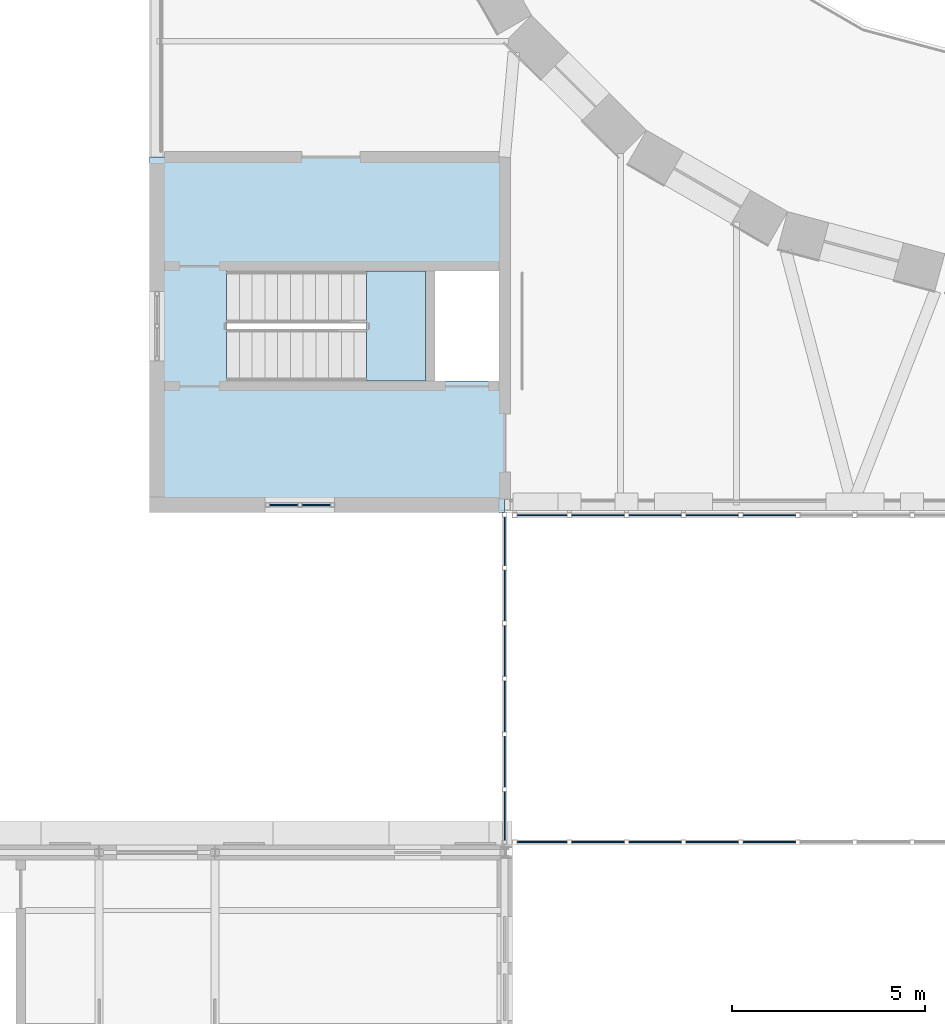
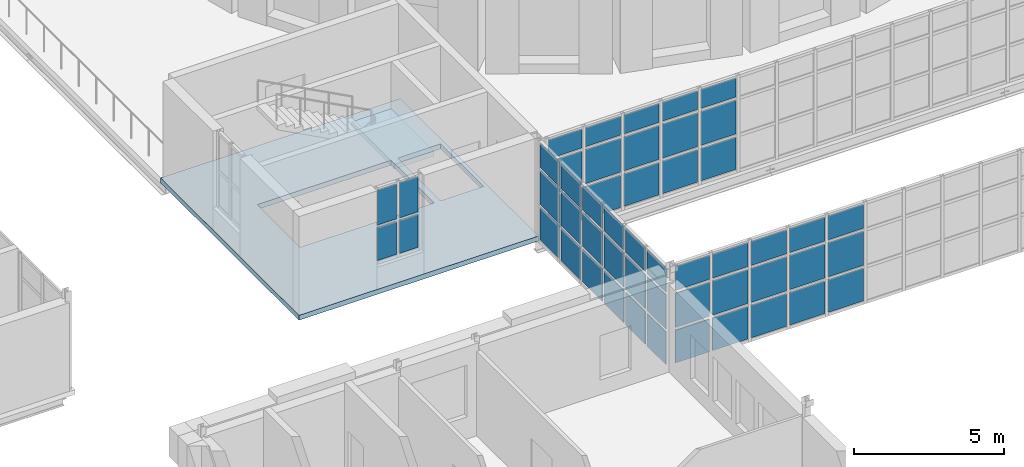
# One storey, part 93 of 154: 52 plates, 2 slabs, 5 elements without a shape of their own.
"""IFC4 building model written with IfcOpenShell, lengths in metres."""

import ifcopenshell
import ifcopenshell.guid

model = None  # the IFC model being written
_history = None  # IfcOwnerHistory: only IFC2X3 demands one
_inside = {}  # id of a spatial element -> (the spatial element, [elements in it])
_under = {}  # id of a project, library or spatial element -> (it, [spatial elements below it])
_declared = {}  # id of a project -> (the project, [libraries it declares])
_typed = {}  # id of a type object -> (the type object, [elements of that type])
_made_of = {}  # id of a material, layer set ... -> (it, [elements and type objects made of it])


def new_model(schema):
    """Start an empty IFC model of exactly this schema.

    Asked for "IFC4X3", IfcOpenShell would pick the latest addendum, in which some entities
    have other attributes; the version numbers below select the first issue.
    IFC2X3 requires an IfcOwnerHistory on every rooted entity: one is made here for all.
    """
    global model, _history
    if schema == "IFC4X3":
        model = ifcopenshell.file(schema_version=(4, 3, 0, 0))
    else:
        model = ifcopenshell.file(schema=schema)
    _inside.clear()
    _under.clear()
    _declared.clear()
    _typed.clear()
    _made_of.clear()
    _history = None
    if model.schema == "IFC2X3":
        org = make("IfcOrganization", Name="unknown")
        user = make(
            "IfcPersonAndOrganization",
            ThePerson=make("IfcPerson", FamilyName="unknown"),
            TheOrganization=org,
        )
        app = make(
            "IfcApplication",
            ApplicationDeveloper=org,
            Version="unknown",
            ApplicationFullName="unknown",
            ApplicationIdentifier="unknown",
        )
        _history = make(
            "IfcOwnerHistory",
            OwningUser=user,
            OwningApplication=app,
            ChangeAction="ADDED",
            CreationDate=0,
        )
    return model


def make(cls, **values):
    """One entity of the class cls with the attributes given. An attribute that is None is left unset."""
    return model.create_entity(
        cls, **{name: value for name, value in values.items() if value is not None}
    )


def rooted(cls, **values):
    """An entity with a GlobalId (a new one), such as an element, a storey or a relation."""
    return make(cls, GlobalId=ifcopenshell.guid.new(), OwnerHistory=_history, **values)


def si_unit(unit_type, name, prefix=None):
    """IfcSIUnit, for example si_unit("LENGTHUNIT", "METRE", prefix="MILLI")."""
    return make("IfcSIUnit", UnitType=unit_type, Prefix=prefix, Name=name)


def assignment(units):
    """IfcUnitAssignment: the units of a project."""
    return None if units is None else make("IfcUnitAssignment", Units=units)


def point(xyz):
    """IfcCartesianPoint."""
    return None if xyz is None else make("IfcCartesianPoint", Coordinates=xyz)


def direction(xyz):
    """IfcDirection."""
    return None if xyz is None else make("IfcDirection", DirectionRatios=xyz)


def frame(location, z_axis=None, x_axis=None):
    """IfcAxis2Placement3D, a coordinate frame: its origin and axes. An axis left out is left unset."""
    return make(
        "IfcAxis2Placement3D",
        Location=point(location),
        Axis=direction(z_axis),
        RefDirection=direction(x_axis),
    )


def frame_2d(location, x_axis=None):
    """IfcAxis2Placement2D, a coordinate frame in the plane: its origin and x axis."""
    return make(
        "IfcAxis2Placement2D", Location=point(location), RefDirection=direction(x_axis)
    )


def origin():
    """The frame at (0, 0, 0) with its axes left unset."""
    return frame((0.0, 0.0, 0.0))


def origin_2d():
    """The frame at (0, 0) in the plane with its x axis left unset."""
    return frame_2d((0.0, 0.0))


def place(relative_to, where):
    """IfcLocalPlacement: puts the frame where relative to a parent placement (None: the world)."""
    return make(
        "IfcLocalPlacement", PlacementRelTo=relative_to, RelativePlacement=where
    )


def context(
    kind, dimensions, precision=None, world=None, true_north=None, identifier=None
):
    """IfcGeometricRepresentationContext, for example the 3D "Model" context."""
    return make(
        "IfcGeometricRepresentationContext",
        ContextIdentifier=identifier,
        ContextType=kind,
        CoordinateSpaceDimension=dimensions,
        Precision=precision,
        WorldCoordinateSystem=world,
        TrueNorth=true_north,
    )


def subcontext(parent, identifier, kind, view, scale=None):
    """IfcGeometricRepresentationSubContext, for example "Body" below "Model"."""
    return make(
        "IfcGeometricRepresentationSubContext",
        ContextIdentifier=identifier,
        ContextType=kind,
        ParentContext=parent,
        TargetScale=scale,
        TargetView=view,
    )


def project(units=None, contexts=None):
    """IfcProject with its units and contexts."""
    return rooted(
        "IfcProject",
        Name="project",
        RepresentationContexts=contexts,
        UnitsInContext=assignment(units),
    )


def spatial(cls, under=None, at=None, **own):
    """A site, building, storey or space (cls), placed at a placement, below another one or the project."""
    s = rooted(cls, ObjectPlacement=at, **own)
    if under is not None:
        _under.setdefault(under.id(), (under, []))[1].append(s)
    return s


def polyline(points):
    """IfcPolyline through the points."""
    return make("IfcPolyline", Points=[point(p) for p in points])


def profile(cls, at=None, kind="AREA", **sizes):
    """A parametric profile (cls). Its sizes go by their IFC names, for example OverallWidth=200.0."""
    return make(cls, ProfileType=kind, Position=at, **sizes)


def rectangle(**sizes):
    """IfcRectangleProfileDef."""
    return profile("IfcRectangleProfileDef", **sizes)


def outline(outer, holes=None, kind="AREA"):
    """IfcArbitraryClosedProfileDef: a profile drawn as a closed curve; with holes, ...WithVoids."""
    if holes is None:
        return make("IfcArbitraryClosedProfileDef", ProfileType=kind, OuterCurve=outer)
    return make(
        "IfcArbitraryProfileDefWithVoids",
        ProfileType=kind,
        OuterCurve=outer,
        InnerCurves=holes,
    )


def extrude(swept, where, along, depth):
    """IfcExtrudedAreaSolid: the profile swept, set in the frame where, extruded along a direction by depth."""
    return make(
        "IfcExtrudedAreaSolid",
        SweptArea=swept,
        Position=where,
        ExtrudedDirection=direction(along),
        Depth=depth,
    )


def shape(context_of_items, identifier, shape_type, items):
    """IfcShapeRepresentation: the items that make up one representation, for example the "Body"."""
    return make(
        "IfcShapeRepresentation",
        ContextOfItems=context_of_items,
        RepresentationIdentifier=identifier,
        RepresentationType=shape_type,
        Items=items,
    )


def material(Name=None, Category=None):
    """IfcMaterial."""
    return make("IfcMaterial", Name=Name, Category=Category)


def layer(
    of_material, thickness, ventilated=None, Name=None, Category=None, Priority=None
):
    """IfcMaterialLayer: one layer of a wall or slab, of a material (None: an air gap)."""
    return make(
        "IfcMaterialLayer",
        Material=of_material,
        LayerThickness=thickness,
        IsVentilated=ventilated,
        Name=Name,
        Category=Category,
        Priority=Priority,
    )


def layer_set(layers, Name=None):
    """IfcMaterialLayerSet."""
    return make("IfcMaterialLayerSet", MaterialLayers=layers, LayerSetName=Name)


def made_of(thing, what):
    """Note that an element or type object is made of a material, layer set ...; save() writes the relation."""
    if what is not None:
        _made_of.setdefault(what.id(), (what, []))[1].append(thing)
    return thing


def type_object(cls, material=None, **own):
    """A type object (cls), such as IfcWallType, which elements share."""
    return made_of(rooted(cls, **own), material)


def element(
    cls,
    number,
    at=None,
    inside=None,
    cuts=None,
    type_object=None,
    material=None,
    context=None,
    identifier="Body",
    shape_type=None,
    held_by="IfcProductDefinitionShape",
    body=None,
    shapes=None,
    **own,
):
    """One element of the class cls, such as IfcWall. Its Tag is "e" and its number.

    at: its placement. inside: the storey or other place that contains it. cuts: it is an
    opening in that element (IfcRelVoidsElement). A single representation is given by context,
    identifier, shape_type and body (its items); several are given by shapes. held_by: the class
    of the entity that holds the representations. save() writes the other relations.
    """
    e = rooted(cls, Tag="e%d" % number, ObjectPlacement=at, **own)
    if body is not None:
        shapes = [shape(context, identifier, shape_type, body)]
    if shapes is not None:
        e.Representation = make(held_by, Representations=shapes)
    if inside is not None:
        _inside.setdefault(inside.id(), (inside, []))[1].append(e)
    if cuts is not None:
        rooted(
            "IfcRelVoidsElement", RelatingBuildingElement=cuts, RelatedOpeningElement=e
        )
    if type_object is not None:
        _typed.setdefault(type_object.id(), (type_object, []))[1].append(e)
    return made_of(e, material)


def aggregate(whole, parts):
    """IfcRelAggregates: a whole, such as a stair, and the parts it consists of."""
    return rooted("IfcRelAggregates", RelatingObject=whole, RelatedObjects=parts)


def save(model, path):
    """Write the relations noted so far, then the file.

    IfcRelAggregates (storeys below a building ...), IfcRelContainedInSpatialStructure (elements
    in a storey), IfcRelDefinesByType, IfcRelAssociatesMaterial and IfcRelDeclares: one each for
    every whole, place, type object, material and project.
    """
    for whole, parts in _under.values():
        aggregate(whole, parts)
    for where, things in _inside.values():
        rooted(
            "IfcRelContainedInSpatialStructure",
            RelatedElements=things,
            RelatingStructure=where,
        )
    for kind, things in _typed.values():
        rooted("IfcRelDefinesByType", RelatedObjects=things, RelatingType=kind)
    for what, things in _made_of.values():
        rooted("IfcRelAssociatesMaterial", RelatedObjects=things, RelatingMaterial=what)
    for by, libraries in _declared.values():
        rooted("IfcRelDeclares", RelatingContext=by, RelatedDefinitions=libraries)
    model.write(path)


model = new_model("IFC4")

# Units and contexts
model_context = context("Model", 3, precision=1e-05, world=origin(), true_north=direction((0.0, 1.0)))
body_context = subcontext(model_context, "Body", "Model", "MODEL_VIEW")
ifc_project = project(units=[si_unit("LENGTHUNIT", "METRE"), si_unit("AREAUNIT", "SQUARE_METRE"), si_unit("VOLUMEUNIT", "CUBIC_METRE"), si_unit("PLANEANGLEUNIT", "RADIAN"), si_unit("MASSUNIT", "GRAM", prefix="KILO")], contexts=[model_context])

# Site, building, storey
site_placement = place(None, origin())
site = spatial("IfcSite", under=ifc_project, at=site_placement, CompositionType="ELEMENT")
building_placement = place(site_placement, origin())
building = spatial("IfcBuilding", under=site, at=building_placement, Name="Golden Quay Civic Hall", CompositionType="ELEMENT")
storey_placement = place(building_placement, frame((0.0, 0.0, 14.39990234375)))
storey = spatial("IfcBuildingStorey", under=building, at=storey_placement, Name="L03", CompositionType="ELEMENT", Elevation=14.39990234375)

# Slab
ifc_material_1 = material(Name="Concrete C35/45", Category="concrete")
ifc_layer_1 = layer(ifc_material_1, 0.199951171875)
ifc_layer_set_1 = layer_set([ifc_layer_1], Name="Composite floor 200")
slab_type_1 = type_object("IfcSlabType", Name="Composite floor 200", PredefinedType="FLOOR", material=ifc_layer_set_1)
slab_1_placement = place(storey_placement, frame((0.0, 0.0, -0.199951171875)))
element("IfcSlab", 1, at=slab_1_placement, inside=storey, type_object=slab_type_1, Name="Slab", PredefinedType="FLOOR", context=body_context, shape_type="SweptSolid", body=[
    extrude(outline(polyline([(72.0, 72.0), (72.0, 62.800048828125), (62.800048828125, 62.800048828125), (62.800048828125, 72.0), (72.0, 72.0)]), holes=[polyline([(69.949951171875, 69.050048828125), (64.804931640625, 69.050048828125), (64.804931640625, 66.199951171875), (69.949951171875, 66.199951171875), (69.949951171875, 69.050048828125)]), polyline([(71.85009765625, 69.050048828125), (70.199951171875, 69.050048828125), (70.199951171875, 66.199951171875), (71.85009765625, 66.199951171875), (71.85009765625, 69.050048828125)])]), origin(), (0.0, 0.0, 1.0), 0.199951171875),
])

# Curtain wall, plates
ifc_material_2 = material(Name="Fire-resisting glass and steel", Category="steel")
curtain_wall_type_1 = type_object("IfcCurtainWallType", Name="Fire-resisting glazed curtain wall EI 120", PredefinedType="NOTDEFINED", material=ifc_material_2)
curtain_wall_1_placement = place(storey_placement, origin())
curtain_wall_1 = element("IfcCurtainWall", 2, at=curtain_wall_1_placement, inside=storey, type_object=curtain_wall_type_1, Name="CW3 curtain wall", PredefinedType="NOTDEFINED")
ifc_material_3 = material(Name="Fire-resisting laminated glass", Category="glass")
ifc_layer_2 = layer(ifc_material_3, 0.0400390625)
ifc_layer_set_2 = layer_set([ifc_layer_2], Name="Fire-resisting glazed panel 40")
plate_type_1 = type_object("IfcPlateType", Name="Fire-resisting glazed panel 40", PredefinedType="CURTAIN_PANEL", material=ifc_layer_set_2)
plate_1_placement = place(storey_placement, frame((72.968994140625, 54.27001953125, -0.080078125), z_axis=(0.0, 0.0, 1.0), x_axis=(1.0, 0.0, 0.0)))
plate_1 = element("IfcPlate", 3, at=plate_1_placement, type_object=plate_type_1, Name="CW3 panel 1.1", PredefinedType="CURTAIN_PANEL", context=body_context, shape_type="SweptSolid", body=[
    extrude(rectangle(XDim=1.2978515625, YDim=0.0400390625, at=origin_2d()), origin(), (0.0, 0.0, 1.0), 1.320068359375),
])
plate_2_placement = place(storey_placement, frame((72.968994140625, 54.27001953125, 1.360107421875), z_axis=(0.0, 0.0, 1.0), x_axis=(1.0, 0.0, 0.0)))
plate_2 = element("IfcPlate", 4, at=plate_2_placement, type_object=plate_type_1, Name="CW3 panel 1.2", PredefinedType="CURTAIN_PANEL", context=body_context, shape_type="SweptSolid", body=[
    extrude(rectangle(XDim=1.2978515625, YDim=0.0400390625, at=origin_2d()), origin(), (0.0, 0.0, 1.0), 1.3798828125),
])
plate_3_placement = place(storey_placement, frame((72.968994140625, 54.27001953125, 2.8603515625), z_axis=(0.0, 0.0, 1.0), x_axis=(1.0, 0.0, 0.0)))
plate_3 = element("IfcPlate", 5, at=plate_3_placement, type_object=plate_type_1, Name="CW3 panel 1.3", PredefinedType="CURTAIN_PANEL", context=body_context, shape_type="SweptSolid", body=[
    extrude(rectangle(XDim=1.2978515625, YDim=0.0400390625, at=origin_2d()), origin(), (0.0, 0.0, 1.0), 0.969970703125),
])
plate_4_placement = place(storey_placement, frame((74.416748046875, 54.27001953125, -0.080078125), z_axis=(0.0, 0.0, 1.0), x_axis=(1.0, 0.0, 0.0)))
plate_4 = element("IfcPlate", 6, at=plate_4_placement, type_object=plate_type_1, Name="CW3 panel 2.1", PredefinedType="CURTAIN_PANEL", context=body_context, shape_type="SweptSolid", body=[
    extrude(rectangle(XDim=1.357666015625, YDim=0.0400390625, at=origin_2d()), origin(), (0.0, 0.0, 1.0), 1.320068359375),
])
plate_5_placement = place(storey_placement, frame((74.416748046875, 54.27001953125, 1.360107421875), z_axis=(0.0, 0.0, 1.0), x_axis=(1.0, 0.0, 0.0)))
plate_5 = element("IfcPlate", 7, at=plate_5_placement, type_object=plate_type_1, Name="CW3 panel 2.2", PredefinedType="CURTAIN_PANEL", context=body_context, shape_type="SweptSolid", body=[
    extrude(rectangle(XDim=1.357666015625, YDim=0.0400390625, at=origin_2d()), origin(), (0.0, 0.0, 1.0), 1.3798828125),
])
plate_6_placement = place(storey_placement, frame((74.416748046875, 54.27001953125, 2.8603515625), z_axis=(0.0, 0.0, 1.0), x_axis=(1.0, 0.0, 0.0)))
plate_6 = element("IfcPlate", 8, at=plate_6_placement, type_object=plate_type_1, Name="CW3 panel 2.3", PredefinedType="CURTAIN_PANEL", context=body_context, shape_type="SweptSolid", body=[
    extrude(rectangle(XDim=1.357666015625, YDim=0.0400390625, at=origin_2d()), origin(), (0.0, 0.0, 1.0), 0.969970703125),
])
plate_7_placement = place(storey_placement, frame((75.89453125, 54.27001953125, -0.080078125), z_axis=(0.0, 0.0, 1.0), x_axis=(1.0, 0.0, 0.0)))
plate_7 = element("IfcPlate", 9, at=plate_7_placement, type_object=plate_type_1, Name="CW3 panel 3.1", PredefinedType="CURTAIN_PANEL", context=body_context, shape_type="SweptSolid", body=[
    extrude(rectangle(XDim=1.357666015625, YDim=0.0400390625, at=origin_2d()), origin(), (0.0, 0.0, 1.0), 1.320068359375),
])
plate_8_placement = place(storey_placement, frame((75.89453125, 54.27001953125, 1.360107421875), z_axis=(0.0, 0.0, 1.0), x_axis=(1.0, 0.0, 0.0)))
plate_8 = element("IfcPlate", 10, at=plate_8_placement, type_object=plate_type_1, Name="CW3 panel 3.2", PredefinedType="CURTAIN_PANEL", context=body_context, shape_type="SweptSolid", body=[
    extrude(rectangle(XDim=1.357666015625, YDim=0.0400390625, at=origin_2d()), origin(), (0.0, 0.0, 1.0), 1.3798828125),
])
plate_9_placement = place(storey_placement, frame((75.89453125, 54.27001953125, 2.8603515625), z_axis=(0.0, 0.0, 1.0), x_axis=(1.0, 0.0, 0.0)))
plate_9 = element("IfcPlate", 11, at=plate_9_placement, type_object=plate_type_1, Name="CW3 panel 3.3", PredefinedType="CURTAIN_PANEL", context=body_context, shape_type="SweptSolid", body=[
    extrude(rectangle(XDim=1.357666015625, YDim=0.0400390625, at=origin_2d()), origin(), (0.0, 0.0, 1.0), 0.969970703125),
])
plate_10_placement = place(storey_placement, frame((77.372314453125, 54.27001953125, -0.080078125), z_axis=(0.0, 0.0, 1.0), x_axis=(1.0, 0.0, 0.0)))
plate_10 = element("IfcPlate", 12, at=plate_10_placement, type_object=plate_type_1, Name="CW3 panel 4.1", PredefinedType="CURTAIN_PANEL", context=body_context, shape_type="SweptSolid", body=[
    extrude(rectangle(XDim=1.357666015625, YDim=0.0400390625, at=origin_2d()), origin(), (0.0, 0.0, 1.0), 1.320068359375),
])
plate_11_placement = place(storey_placement, frame((77.372314453125, 54.27001953125, 1.360107421875), z_axis=(0.0, 0.0, 1.0), x_axis=(1.0, 0.0, 0.0)))
plate_11 = element("IfcPlate", 13, at=plate_11_placement, type_object=plate_type_1, Name="CW3 panel 4.2", PredefinedType="CURTAIN_PANEL", context=body_context, shape_type="SweptSolid", body=[
    extrude(rectangle(XDim=1.357666015625, YDim=0.0400390625, at=origin_2d()), origin(), (0.0, 0.0, 1.0), 1.3798828125),
])
plate_12_placement = place(storey_placement, frame((77.372314453125, 54.27001953125, 2.8603515625), z_axis=(0.0, 0.0, 1.0), x_axis=(1.0, 0.0, 0.0)))
plate_12 = element("IfcPlate", 14, at=plate_12_placement, type_object=plate_type_1, Name="CW3 panel 4.3", PredefinedType="CURTAIN_PANEL", context=body_context, shape_type="SweptSolid", body=[
    extrude(rectangle(XDim=1.357666015625, YDim=0.0400390625, at=origin_2d()), origin(), (0.0, 0.0, 1.0), 0.969970703125),
])
plate_13_placement = place(storey_placement, frame((78.85009765625, 54.27001953125, -0.080078125), z_axis=(0.0, 0.0, 1.0), x_axis=(1.0, 0.0, 0.0)))
plate_13 = element("IfcPlate", 15, at=plate_13_placement, type_object=plate_type_1, Name="CW3 panel 5.1", PredefinedType="CURTAIN_PANEL", context=body_context, shape_type="SweptSolid", body=[
    extrude(rectangle(XDim=1.357666015625, YDim=0.0400390625, at=origin_2d()), origin(), (0.0, 0.0, 1.0), 1.320068359375),
])
plate_14_placement = place(storey_placement, frame((78.85009765625, 54.27001953125, 1.360107421875), z_axis=(0.0, 0.0, 1.0), x_axis=(1.0, 0.0, 0.0)))
plate_14 = element("IfcPlate", 16, at=plate_14_placement, type_object=plate_type_1, Name="CW3 panel 5.2", PredefinedType="CURTAIN_PANEL", context=body_context, shape_type="SweptSolid", body=[
    extrude(rectangle(XDim=1.357666015625, YDim=0.0400390625, at=origin_2d()), origin(), (0.0, 0.0, 1.0), 1.3798828125),
])
plate_15_placement = place(storey_placement, frame((78.85009765625, 54.27001953125, 2.8603515625), z_axis=(0.0, 0.0, 1.0), x_axis=(1.0, 0.0, 0.0)))
plate_15 = element("IfcPlate", 17, at=plate_15_placement, type_object=plate_type_1, Name="CW3 panel 5.3", PredefinedType="CURTAIN_PANEL", context=body_context, shape_type="SweptSolid", body=[
    extrude(rectangle(XDim=1.357666015625, YDim=0.0400390625, at=origin_2d()), origin(), (0.0, 0.0, 1.0), 0.969970703125),
])
aggregate(curtain_wall_1, [plate_1, plate_2, plate_3, plate_4, plate_5, plate_6, plate_7, plate_8, plate_9, plate_10, plate_11, plate_12, plate_13, plate_14, plate_15])

ifc_material_4 = material(Name="Fire-resisting glass and steel", Category="steel")
curtain_wall_type_2 = type_object("IfcCurtainWallType", Name="Fire-resisting glazed stair curtain wall EI 120", PredefinedType="NOTDEFINED", material=ifc_material_4)
curtain_wall_2_placement = place(storey_placement, origin())
curtain_wall_2 = element("IfcCurtainWall", 18, at=curtain_wall_2_placement, inside=storey, type_object=curtain_wall_type_2, Name="CW4 stair curtain wall", PredefinedType="NOTDEFINED")
ifc_material_5 = material(Name="Fire-resisting laminated glass", Category="glass")
ifc_layer_3 = layer(ifc_material_5, 0.0400390625)
ifc_layer_set_3 = layer_set([ifc_layer_3], Name="Fire-resisting glazed stair panel 40")
plate_type_2 = type_object("IfcPlateType", Name="Fire-resisting glazed stair panel 40", PredefinedType="CURTAIN_PANEL", material=ifc_layer_set_3)
plate_16_placement = place(storey_placement, frame((66.280029296875, 63.0, 1.02001953125), z_axis=(0.0, 0.0, 1.0), x_axis=(1.0, 0.0, 0.0)))
plate_16 = element("IfcPlate", 19, at=plate_16_placement, type_object=plate_type_2, Name="CW4 panel 1.1", PredefinedType="CURTAIN_PANEL", context=body_context, shape_type="SweptSolid", body=[
    extrude(rectangle(XDim=0.719970703125, YDim=0.0400390625, at=origin_2d()), origin(), (0.0, 0.0, 1.0), 1.320068359375),
])
plate_17_placement = place(storey_placement, frame((66.280029296875, 63.0, 2.460205078125), z_axis=(0.0, 0.0, 1.0), x_axis=(1.0, 0.0, 0.0)))
plate_17 = element("IfcPlate", 20, at=plate_17_placement, type_object=plate_type_2, Name="CW4 panel 1.2", PredefinedType="CURTAIN_PANEL", context=body_context, shape_type="SweptSolid", body=[
    extrude(rectangle(XDim=0.719970703125, YDim=0.0400390625, at=origin_2d()), origin(), (0.0, 0.0, 1.0), 1.419921875),
])
plate_18_placement = place(storey_placement, frame((67.1201171875, 63.0, 1.02001953125), z_axis=(0.0, 0.0, 1.0), x_axis=(1.0, 0.0, 0.0)))
plate_18 = element("IfcPlate", 21, at=plate_18_placement, type_object=plate_type_2, Name="CW4 panel 2.1", PredefinedType="CURTAIN_PANEL", context=body_context, shape_type="SweptSolid", body=[
    extrude(rectangle(XDim=0.719970703125, YDim=0.0400390625, at=origin_2d()), origin(), (0.0, 0.0, 1.0), 1.320068359375),
])
plate_19_placement = place(storey_placement, frame((67.1201171875, 63.0, 2.460205078125), z_axis=(0.0, 0.0, 1.0), x_axis=(1.0, 0.0, 0.0)))
plate_19 = element("IfcPlate", 22, at=plate_19_placement, type_object=plate_type_2, Name="CW4 panel 2.2", PredefinedType="CURTAIN_PANEL", context=body_context, shape_type="SweptSolid", body=[
    extrude(rectangle(XDim=0.719970703125, YDim=0.0400390625, at=origin_2d()), origin(), (0.0, 0.0, 1.0), 1.419921875),
])
aggregate(curtain_wall_2, [plate_16, plate_17, plate_18, plate_19])

ifc_material_6 = material(Name="Glass and aluminium", Category="aluminium")
curtain_wall_type_3 = type_object("IfcCurtainWallType", Name="Glazed curtain wall 1500 module", PredefinedType="NOTDEFINED", material=ifc_material_6)
curtain_wall_3_placement = place(storey_placement, origin())
curtain_wall_3 = element("IfcCurtainWall", 23, at=curtain_wall_3_placement, inside=storey, type_object=curtain_wall_type_3, Name="CW1 curtain wall", PredefinedType="NOTDEFINED")
ifc_material_7 = material(Name="Laminated glass", Category="glass")
ifc_layer_4 = layer(ifc_material_7, 0.028076171875)
ifc_layer_set_4 = layer_set([ifc_layer_4], Name="Laminated glass panel 28")
plate_type_3 = type_object("IfcPlateType", Name="Laminated glass panel 28", PredefinedType="CURTAIN_PANEL", material=ifc_layer_set_4)
plate_20_placement = place(storey_placement, frame((72.968994140625, 62.72998046875, 0.1201171875), z_axis=(0.0, 0.0, 1.0), x_axis=(1.0, 0.0, 0.0)))
plate_20 = element("IfcPlate", 24, at=plate_20_placement, type_object=plate_type_3, Name="CW1 panel 1.1", PredefinedType="CURTAIN_PANEL", context=body_context, shape_type="SweptSolid", body=[
    extrude(rectangle(XDim=1.2978515625, YDim=0.028076171875, at=origin_2d()), origin(), (0.0, 0.0, 1.0), 1.320068359375),
])
plate_21_placement = place(storey_placement, frame((72.968994140625, 62.72998046875, 1.56005859375), z_axis=(0.0, 0.0, 1.0), x_axis=(1.0, 0.0, 0.0)))
plate_21 = element("IfcPlate", 25, at=plate_21_placement, type_object=plate_type_3, Name="CW1 panel 1.2", PredefinedType="CURTAIN_PANEL", context=body_context, shape_type="SweptSolid", body=[
    extrude(rectangle(XDim=1.2978515625, YDim=0.028076171875, at=origin_2d()), origin(), (0.0, 0.0, 1.0), 1.3798828125),
])
plate_22_placement = place(storey_placement, frame((72.968994140625, 62.72998046875, 3.06005859375), z_axis=(0.0, 0.0, 1.0), x_axis=(1.0, 0.0, 0.0)))
plate_22 = element("IfcPlate", 26, at=plate_22_placement, type_object=plate_type_3, Name="CW1 panel 1.3", PredefinedType="CURTAIN_PANEL", context=body_context, shape_type="SweptSolid", body=[
    extrude(rectangle(XDim=1.2978515625, YDim=0.028076171875, at=origin_2d()), origin(), (0.0, 0.0, 1.0), 0.77001953125),
])
plate_23_placement = place(storey_placement, frame((74.416748046875, 62.72998046875, 0.1201171875), z_axis=(0.0, 0.0, 1.0), x_axis=(1.0, 0.0, 0.0)))
plate_23 = element("IfcPlate", 27, at=plate_23_placement, type_object=plate_type_3, Name="CW1 panel 2.1", PredefinedType="CURTAIN_PANEL", context=body_context, shape_type="SweptSolid", body=[
    extrude(rectangle(XDim=1.357666015625, YDim=0.028076171875, at=origin_2d()), origin(), (0.0, 0.0, 1.0), 1.320068359375),
])
plate_24_placement = place(storey_placement, frame((74.416748046875, 62.72998046875, 1.56005859375), z_axis=(0.0, 0.0, 1.0), x_axis=(1.0, 0.0, 0.0)))
plate_24 = element("IfcPlate", 28, at=plate_24_placement, type_object=plate_type_3, Name="CW1 panel 2.2", PredefinedType="CURTAIN_PANEL", context=body_context, shape_type="SweptSolid", body=[
    extrude(rectangle(XDim=1.357666015625, YDim=0.028076171875, at=origin_2d()), origin(), (0.0, 0.0, 1.0), 1.3798828125),
])
plate_25_placement = place(storey_placement, frame((74.416748046875, 62.72998046875, 3.06005859375), z_axis=(0.0, 0.0, 1.0), x_axis=(1.0, 0.0, 0.0)))
plate_25 = element("IfcPlate", 29, at=plate_25_placement, type_object=plate_type_3, Name="CW1 panel 2.3", PredefinedType="CURTAIN_PANEL", context=body_context, shape_type="SweptSolid", body=[
    extrude(rectangle(XDim=1.357666015625, YDim=0.028076171875, at=origin_2d()), origin(), (0.0, 0.0, 1.0), 0.77001953125),
])
plate_26_placement = place(storey_placement, frame((75.89453125, 62.72998046875, 0.1201171875), z_axis=(0.0, 0.0, 1.0), x_axis=(1.0, 0.0, 0.0)))
plate_26 = element("IfcPlate", 30, at=plate_26_placement, type_object=plate_type_3, Name="CW1 panel 3.1", PredefinedType="CURTAIN_PANEL", context=body_context, shape_type="SweptSolid", body=[
    extrude(rectangle(XDim=1.357666015625, YDim=0.028076171875, at=origin_2d()), origin(), (0.0, 0.0, 1.0), 1.320068359375),
])
plate_27_placement = place(storey_placement, frame((75.89453125, 62.72998046875, 1.56005859375), z_axis=(0.0, 0.0, 1.0), x_axis=(1.0, 0.0, 0.0)))
plate_27 = element("IfcPlate", 31, at=plate_27_placement, type_object=plate_type_3, Name="CW1 panel 3.2", PredefinedType="CURTAIN_PANEL", context=body_context, shape_type="SweptSolid", body=[
    extrude(rectangle(XDim=1.357666015625, YDim=0.028076171875, at=origin_2d()), origin(), (0.0, 0.0, 1.0), 1.3798828125),
])
plate_28_placement = place(storey_placement, frame((75.89453125, 62.72998046875, 3.06005859375), z_axis=(0.0, 0.0, 1.0), x_axis=(1.0, 0.0, 0.0)))
plate_28 = element("IfcPlate", 32, at=plate_28_placement, type_object=plate_type_3, Name="CW1 panel 3.3", PredefinedType="CURTAIN_PANEL", context=body_context, shape_type="SweptSolid", body=[
    extrude(rectangle(XDim=1.357666015625, YDim=0.028076171875, at=origin_2d()), origin(), (0.0, 0.0, 1.0), 0.77001953125),
])
plate_29_placement = place(storey_placement, frame((77.372314453125, 62.72998046875, 0.1201171875), z_axis=(0.0, 0.0, 1.0), x_axis=(1.0, 0.0, 0.0)))
plate_29 = element("IfcPlate", 33, at=plate_29_placement, type_object=plate_type_3, Name="CW1 panel 4.1", PredefinedType="CURTAIN_PANEL", context=body_context, shape_type="SweptSolid", body=[
    extrude(rectangle(XDim=1.357666015625, YDim=0.028076171875, at=origin_2d()), origin(), (0.0, 0.0, 1.0), 1.320068359375),
])
plate_30_placement = place(storey_placement, frame((77.372314453125, 62.72998046875, 1.56005859375), z_axis=(0.0, 0.0, 1.0), x_axis=(1.0, 0.0, 0.0)))
plate_30 = element("IfcPlate", 34, at=plate_30_placement, type_object=plate_type_3, Name="CW1 panel 4.2", PredefinedType="CURTAIN_PANEL", context=body_context, shape_type="SweptSolid", body=[
    extrude(rectangle(XDim=1.357666015625, YDim=0.028076171875, at=origin_2d()), origin(), (0.0, 0.0, 1.0), 1.3798828125),
])
plate_31_placement = place(storey_placement, frame((77.372314453125, 62.72998046875, 3.06005859375), z_axis=(0.0, 0.0, 1.0), x_axis=(1.0, 0.0, 0.0)))
plate_31 = element("IfcPlate", 35, at=plate_31_placement, type_object=plate_type_3, Name="CW1 panel 4.3", PredefinedType="CURTAIN_PANEL", context=body_context, shape_type="SweptSolid", body=[
    extrude(rectangle(XDim=1.357666015625, YDim=0.028076171875, at=origin_2d()), origin(), (0.0, 0.0, 1.0), 0.77001953125),
])
plate_32_placement = place(storey_placement, frame((78.85009765625, 62.72998046875, 0.1201171875), z_axis=(0.0, 0.0, 1.0), x_axis=(1.0, 0.0, 0.0)))
plate_32 = element("IfcPlate", 36, at=plate_32_placement, type_object=plate_type_3, Name="CW1 panel 5.1", PredefinedType="CURTAIN_PANEL", context=body_context, shape_type="SweptSolid", body=[
    extrude(rectangle(XDim=1.357666015625, YDim=0.028076171875, at=origin_2d()), origin(), (0.0, 0.0, 1.0), 1.320068359375),
])
plate_33_placement = place(storey_placement, frame((78.85009765625, 62.72998046875, 1.56005859375), z_axis=(0.0, 0.0, 1.0), x_axis=(1.0, 0.0, 0.0)))
plate_33 = element("IfcPlate", 37, at=plate_33_placement, type_object=plate_type_3, Name="CW1 panel 5.2", PredefinedType="CURTAIN_PANEL", context=body_context, shape_type="SweptSolid", body=[
    extrude(rectangle(XDim=1.357666015625, YDim=0.028076171875, at=origin_2d()), origin(), (0.0, 0.0, 1.0), 1.3798828125),
])
plate_34_placement = place(storey_placement, frame((78.85009765625, 62.72998046875, 3.06005859375), z_axis=(0.0, 0.0, 1.0), x_axis=(1.0, 0.0, 0.0)))
plate_34 = element("IfcPlate", 38, at=plate_34_placement, type_object=plate_type_3, Name="CW1 panel 5.3", PredefinedType="CURTAIN_PANEL", context=body_context, shape_type="SweptSolid", body=[
    extrude(rectangle(XDim=1.357666015625, YDim=0.028076171875, at=origin_2d()), origin(), (0.0, 0.0, 1.0), 0.77001953125),
])
aggregate(curtain_wall_3, [plate_20, plate_21, plate_22, plate_23, plate_24, plate_25, plate_26, plate_27, plate_28, plate_29, plate_30, plate_31, plate_32, plate_33, plate_34])

curtain_wall_4_placement = place(storey_placement, origin())
curtain_wall_4 = element("IfcCurtainWall", 39, at=curtain_wall_4_placement, inside=storey, type_object=curtain_wall_type_3, Name="CW1 curtain wall", PredefinedType="NOTDEFINED")
plate_35_placement = place(storey_placement, frame((72.0, 54.94677734375, -0.080078125), z_axis=(0.0, 0.0, 1.0), x_axis=(0.0, 1.0, 0.0)))
plate_35 = element("IfcPlate", 40, at=plate_35_placement, type_object=plate_type_3, Name="CW1 panel 1.1", PredefinedType="CURTAIN_PANEL", context=body_context, shape_type="SweptSolid", body=[
    extrude(rectangle(XDim=1.25341796875, YDim=0.028076171875, at=origin_2d()), origin(), (0.0, 0.0, 1.0), 1.320068359375),
])
plate_36_placement = place(storey_placement, frame((72.0, 54.94677734375, 1.360107421875), z_axis=(0.0, 0.0, 1.0), x_axis=(0.0, 1.0, 0.0)))
plate_36 = element("IfcPlate", 41, at=plate_36_placement, type_object=plate_type_3, Name="CW1 panel 1.2", PredefinedType="CURTAIN_PANEL", context=body_context, shape_type="SweptSolid", body=[
    extrude(rectangle(XDim=1.25341796875, YDim=0.028076171875, at=origin_2d()), origin(), (0.0, 0.0, 1.0), 1.3798828125),
])
plate_37_placement = place(storey_placement, frame((72.0, 54.94677734375, 2.8603515625), z_axis=(0.0, 0.0, 1.0), x_axis=(0.0, 1.0, 0.0)))
plate_37 = element("IfcPlate", 42, at=plate_37_placement, type_object=plate_type_3, Name="CW1 panel 1.3", PredefinedType="CURTAIN_PANEL", context=body_context, shape_type="SweptSolid", body=[
    extrude(rectangle(XDim=1.25341796875, YDim=0.028076171875, at=origin_2d()), origin(), (0.0, 0.0, 1.0), 0.969970703125),
])
plate_38_placement = place(storey_placement, frame((72.0, 56.35009765625, -0.080078125), z_axis=(0.0, 0.0, 1.0), x_axis=(0.0, 1.0, 0.0)))
plate_38 = element("IfcPlate", 43, at=plate_38_placement, type_object=plate_type_3, Name="CW1 panel 2.1", PredefinedType="CURTAIN_PANEL", context=body_context, shape_type="SweptSolid", body=[
    extrude(rectangle(XDim=1.313232421875, YDim=0.028076171875, at=origin_2d()), origin(), (0.0, 0.0, 1.0), 1.320068359375),
])
plate_39_placement = place(storey_placement, frame((72.0, 56.35009765625, 1.360107421875), z_axis=(0.0, 0.0, 1.0), x_axis=(0.0, 1.0, 0.0)))
plate_39 = element("IfcPlate", 44, at=plate_39_placement, type_object=plate_type_3, Name="CW1 panel 2.2", PredefinedType="CURTAIN_PANEL", context=body_context, shape_type="SweptSolid", body=[
    extrude(rectangle(XDim=1.313232421875, YDim=0.028076171875, at=origin_2d()), origin(), (0.0, 0.0, 1.0), 1.3798828125),
])
plate_40_placement = place(storey_placement, frame((72.0, 56.35009765625, 2.8603515625), z_axis=(0.0, 0.0, 1.0), x_axis=(0.0, 1.0, 0.0)))
plate_40 = element("IfcPlate", 45, at=plate_40_placement, type_object=plate_type_3, Name="CW1 panel 2.3", PredefinedType="CURTAIN_PANEL", context=body_context, shape_type="SweptSolid", body=[
    extrude(rectangle(XDim=1.313232421875, YDim=0.028076171875, at=origin_2d()), origin(), (0.0, 0.0, 1.0), 0.969970703125),
])
plate_41_placement = place(storey_placement, frame((72.0, 57.783447265625, -0.080078125), z_axis=(0.0, 0.0, 1.0), x_axis=(0.0, 1.0, 0.0)))
plate_41 = element("IfcPlate", 46, at=plate_41_placement, type_object=plate_type_3, Name="CW1 panel 3.1", PredefinedType="CURTAIN_PANEL", context=body_context, shape_type="SweptSolid", body=[
    extrude(rectangle(XDim=1.313232421875, YDim=0.028076171875, at=origin_2d()), origin(), (0.0, 0.0, 1.0), 1.320068359375),
])
plate_42_placement = place(storey_placement, frame((72.0, 57.783447265625, 1.360107421875), z_axis=(0.0, 0.0, 1.0), x_axis=(0.0, 1.0, 0.0)))
plate_42 = element("IfcPlate", 47, at=plate_42_placement, type_object=plate_type_3, Name="CW1 panel 3.2", PredefinedType="CURTAIN_PANEL", context=body_context, shape_type="SweptSolid", body=[
    extrude(rectangle(XDim=1.313232421875, YDim=0.028076171875, at=origin_2d()), origin(), (0.0, 0.0, 1.0), 1.3798828125),
])
plate_43_placement = place(storey_placement, frame((72.0, 57.783447265625, 2.8603515625), z_axis=(0.0, 0.0, 1.0), x_axis=(0.0, 1.0, 0.0)))
plate_43 = element("IfcPlate", 48, at=plate_43_placement, type_object=plate_type_3, Name="CW1 panel 3.3", PredefinedType="CURTAIN_PANEL", context=body_context, shape_type="SweptSolid", body=[
    extrude(rectangle(XDim=1.313232421875, YDim=0.028076171875, at=origin_2d()), origin(), (0.0, 0.0, 1.0), 0.969970703125),
])
plate_44_placement = place(storey_placement, frame((72.0, 59.216552734375, -0.080078125), z_axis=(0.0, 0.0, 1.0), x_axis=(0.0, 1.0, 0.0)))
plate_44 = element("IfcPlate", 49, at=plate_44_placement, type_object=plate_type_3, Name="CW1 panel 4.1", PredefinedType="CURTAIN_PANEL", context=body_context, shape_type="SweptSolid", body=[
    extrude(rectangle(XDim=1.313232421875, YDim=0.028076171875, at=origin_2d()), origin(), (0.0, 0.0, 1.0), 1.320068359375),
])
plate_45_placement = place(storey_placement, frame((72.0, 59.216552734375, 1.360107421875), z_axis=(0.0, 0.0, 1.0), x_axis=(0.0, 1.0, 0.0)))
plate_45 = element("IfcPlate", 50, at=plate_45_placement, type_object=plate_type_3, Name="CW1 panel 4.2", PredefinedType="CURTAIN_PANEL", context=body_context, shape_type="SweptSolid", body=[
    extrude(rectangle(XDim=1.313232421875, YDim=0.028076171875, at=origin_2d()), origin(), (0.0, 0.0, 1.0), 1.3798828125),
])
plate_46_placement = place(storey_placement, frame((72.0, 59.216552734375, 2.8603515625), z_axis=(0.0, 0.0, 1.0), x_axis=(0.0, 1.0, 0.0)))
plate_46 = element("IfcPlate", 51, at=plate_46_placement, type_object=plate_type_3, Name="CW1 panel 4.3", PredefinedType="CURTAIN_PANEL", context=body_context, shape_type="SweptSolid", body=[
    extrude(rectangle(XDim=1.313232421875, YDim=0.028076171875, at=origin_2d()), origin(), (0.0, 0.0, 1.0), 0.969970703125),
])
plate_47_placement = place(storey_placement, frame((72.0, 60.64990234375, -0.080078125), z_axis=(0.0, 0.0, 1.0), x_axis=(0.0, 1.0, 0.0)))
plate_47 = element("IfcPlate", 52, at=plate_47_placement, type_object=plate_type_3, Name="CW1 panel 5.1", PredefinedType="CURTAIN_PANEL", context=body_context, shape_type="SweptSolid", body=[
    extrude(rectangle(XDim=1.313232421875, YDim=0.028076171875, at=origin_2d()), origin(), (0.0, 0.0, 1.0), 1.320068359375),
])
plate_48_placement = place(storey_placement, frame((72.0, 60.64990234375, 1.360107421875), z_axis=(0.0, 0.0, 1.0), x_axis=(0.0, 1.0, 0.0)))
plate_48 = element("IfcPlate", 53, at=plate_48_placement, type_object=plate_type_3, Name="CW1 panel 5.2", PredefinedType="CURTAIN_PANEL", context=body_context, shape_type="SweptSolid", body=[
    extrude(rectangle(XDim=1.313232421875, YDim=0.028076171875, at=origin_2d()), origin(), (0.0, 0.0, 1.0), 1.3798828125),
])
plate_49_placement = place(storey_placement, frame((72.0, 60.64990234375, 2.8603515625), z_axis=(0.0, 0.0, 1.0), x_axis=(0.0, 1.0, 0.0)))
plate_49 = element("IfcPlate", 54, at=plate_49_placement, type_object=plate_type_3, Name="CW1 panel 5.3", PredefinedType="CURTAIN_PANEL", context=body_context, shape_type="SweptSolid", body=[
    extrude(rectangle(XDim=1.313232421875, YDim=0.028076171875, at=origin_2d()), origin(), (0.0, 0.0, 1.0), 0.969970703125),
])
plate_50_placement = place(storey_placement, frame((72.0, 62.05322265625, -0.080078125), z_axis=(0.0, 0.0, 1.0), x_axis=(0.0, 1.0, 0.0)))
plate_50 = element("IfcPlate", 55, at=plate_50_placement, type_object=plate_type_3, Name="CW1 panel 6.1", PredefinedType="CURTAIN_PANEL", context=body_context, shape_type="SweptSolid", body=[
    extrude(rectangle(XDim=1.25341796875, YDim=0.028076171875, at=origin_2d()), origin(), (0.0, 0.0, 1.0), 1.320068359375),
])
plate_51_placement = place(storey_placement, frame((72.0, 62.05322265625, 1.360107421875), z_axis=(0.0, 0.0, 1.0), x_axis=(0.0, 1.0, 0.0)))
plate_51 = element("IfcPlate", 56, at=plate_51_placement, type_object=plate_type_3, Name="CW1 panel 6.2", PredefinedType="CURTAIN_PANEL", context=body_context, shape_type="SweptSolid", body=[
    extrude(rectangle(XDim=1.25341796875, YDim=0.028076171875, at=origin_2d()), origin(), (0.0, 0.0, 1.0), 1.3798828125),
])
plate_52_placement = place(storey_placement, frame((72.0, 62.05322265625, 2.8603515625), z_axis=(0.0, 0.0, 1.0), x_axis=(0.0, 1.0, 0.0)))
plate_52 = element("IfcPlate", 57, at=plate_52_placement, type_object=plate_type_3, Name="CW1 panel 6.3", PredefinedType="CURTAIN_PANEL", context=body_context, shape_type="SweptSolid", body=[
    extrude(rectangle(XDim=1.25341796875, YDim=0.028076171875, at=origin_2d()), origin(), (0.0, 0.0, 1.0), 0.969970703125),
])
aggregate(curtain_wall_4, [plate_35, plate_36, plate_37, plate_38, plate_39, plate_40, plate_41, plate_42, plate_43, plate_44, plate_45, plate_46, plate_47, plate_48, plate_49, plate_50, plate_51, plate_52])

# Stair, slab
ifc_material_8 = material(Name="Concrete C35/45", Category="concrete")
stair_type = type_object("IfcStairType", Name="Reinforced concrete stair 1350", PredefinedType="HALF_TURN_STAIR", material=ifc_material_8)
stair_placement = place(storey_placement, origin())
stair = element("IfcStair", 58, at=stair_placement, inside=storey, type_object=stair_type, Name="L03 Core stair SW", PredefinedType="HALF_TURN_STAIR")
ifc_material_9 = material(Name="Concrete C35/45", Category="concrete")
ifc_layer_5 = layer(ifc_material_9, 0.199951171875)
ifc_layer_set_5 = layer_set([ifc_layer_5], Name="Reinforced concrete stair landing 200, Concrete C35/45")
slab_type_2 = type_object("IfcSlabType", Name="Reinforced concrete stair landing 200", PredefinedType="LANDING", material=ifc_layer_set_5)
slab_2_placement = place(storey_placement, frame((0.0, 0.0, 1.900146484375)))
slab_2 = element("IfcSlab", 59, at=slab_2_placement, type_object=slab_type_2, Name="CB-SW landing 1", PredefinedType="LANDING", context=body_context, shape_type="SweptSolid", body=[
    extrude(outline(polyline([(68.429931640625, 66.199951171875), (69.949951171875, 66.199951171875), (69.949951171875, 69.050048828125), (68.429931640625, 69.050048828125), (68.429931640625, 66.199951171875)])), origin(), (0.0, 0.0, 1.0), 0.199951171875),
])
aggregate(stair, [slab_2])

save(model, "model.ifc")
